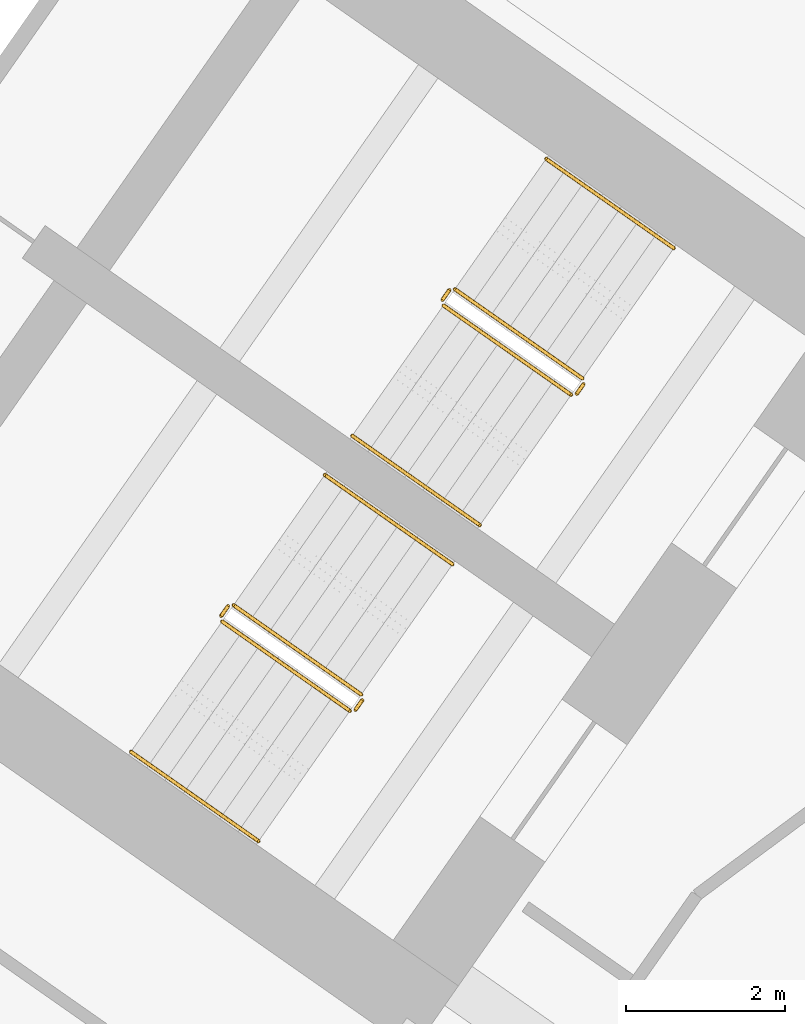
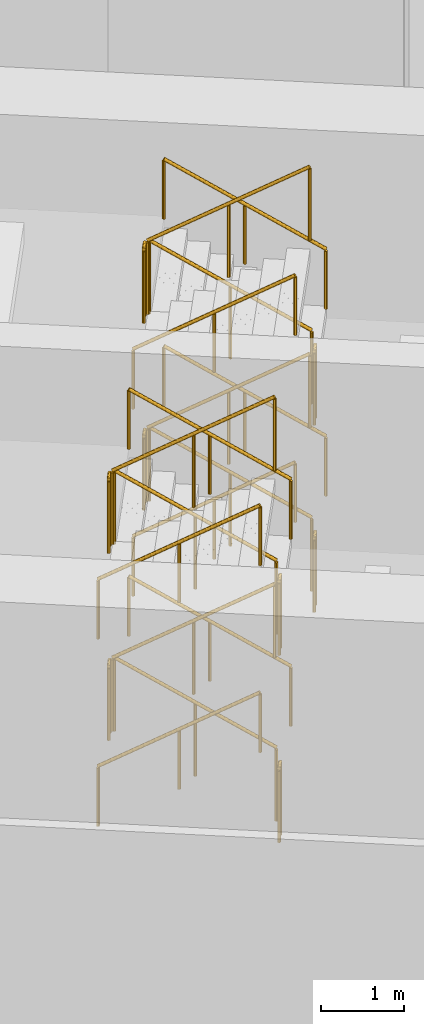
# One storey, part 25 of 26: 24 railings.
"""IFC4 building model written with IfcOpenShell, lengths in metres."""

import ifcopenshell
import ifcopenshell.guid

model = None  # the IFC model being written
_history = None  # IfcOwnerHistory: only IFC2X3 demands one
_inside = {}  # id of a spatial element -> (the spatial element, [elements in it])
_under = {}  # id of a project, library or spatial element -> (it, [spatial elements below it])
_declared = {}  # id of a project -> (the project, [libraries it declares])
_typed = {}  # id of a type object -> (the type object, [elements of that type])
_made_of = {}  # id of a material, layer set ... -> (it, [elements and type objects made of it])


def new_model(schema):
    """Start an empty IFC model of exactly this schema.

    Asked for "IFC4X3", IfcOpenShell would pick the latest addendum, in which some entities
    have other attributes; the version numbers below select the first issue.
    IFC2X3 requires an IfcOwnerHistory on every rooted entity: one is made here for all.
    """
    global model, _history
    if schema == "IFC4X3":
        model = ifcopenshell.file(schema_version=(4, 3, 0, 0))
    else:
        model = ifcopenshell.file(schema=schema)
    _inside.clear()
    _under.clear()
    _declared.clear()
    _typed.clear()
    _made_of.clear()
    _history = None
    if model.schema == "IFC2X3":
        org = make("IfcOrganization", Name="unknown")
        user = make(
            "IfcPersonAndOrganization",
            ThePerson=make("IfcPerson", FamilyName="unknown"),
            TheOrganization=org,
        )
        app = make(
            "IfcApplication",
            ApplicationDeveloper=org,
            Version="unknown",
            ApplicationFullName="unknown",
            ApplicationIdentifier="unknown",
        )
        _history = make(
            "IfcOwnerHistory",
            OwningUser=user,
            OwningApplication=app,
            ChangeAction="ADDED",
            CreationDate=0,
        )
    return model


def make(cls, **values):
    """One entity of the class cls with the attributes given. An attribute that is None is left unset."""
    return model.create_entity(
        cls, **{name: value for name, value in values.items() if value is not None}
    )


def rooted(cls, **values):
    """An entity with a GlobalId (a new one), such as an element, a storey or a relation."""
    return make(cls, GlobalId=ifcopenshell.guid.new(), OwnerHistory=_history, **values)


def si_unit(unit_type, name, prefix=None):
    """IfcSIUnit, for example si_unit("LENGTHUNIT", "METRE", prefix="MILLI")."""
    return make("IfcSIUnit", UnitType=unit_type, Prefix=prefix, Name=name)


def assignment(units):
    """IfcUnitAssignment: the units of a project."""
    return None if units is None else make("IfcUnitAssignment", Units=units)


def point(xyz):
    """IfcCartesianPoint."""
    return None if xyz is None else make("IfcCartesianPoint", Coordinates=xyz)


def direction(xyz):
    """IfcDirection."""
    return None if xyz is None else make("IfcDirection", DirectionRatios=xyz)


def frame(location, z_axis=None, x_axis=None):
    """IfcAxis2Placement3D, a coordinate frame: its origin and axes. An axis left out is left unset."""
    return make(
        "IfcAxis2Placement3D",
        Location=point(location),
        Axis=direction(z_axis),
        RefDirection=direction(x_axis),
    )


def frame_2d(location, x_axis=None):
    """IfcAxis2Placement2D, a coordinate frame in the plane: its origin and x axis."""
    return make(
        "IfcAxis2Placement2D", Location=point(location), RefDirection=direction(x_axis)
    )


def origin():
    """The frame at (0, 0, 0) with its axes left unset."""
    return frame((0.0, 0.0, 0.0))


def origin_2d():
    """The frame at (0, 0) in the plane with its x axis left unset."""
    return frame_2d((0.0, 0.0))


def place(relative_to, where):
    """IfcLocalPlacement: puts the frame where relative to a parent placement (None: the world)."""
    return make(
        "IfcLocalPlacement", PlacementRelTo=relative_to, RelativePlacement=where
    )


def context(
    kind, dimensions, precision=None, world=None, true_north=None, identifier=None
):
    """IfcGeometricRepresentationContext, for example the 3D "Model" context."""
    return make(
        "IfcGeometricRepresentationContext",
        ContextIdentifier=identifier,
        ContextType=kind,
        CoordinateSpaceDimension=dimensions,
        Precision=precision,
        WorldCoordinateSystem=world,
        TrueNorth=true_north,
    )


def subcontext(parent, identifier, kind, view, scale=None):
    """IfcGeometricRepresentationSubContext, for example "Body" below "Model"."""
    return make(
        "IfcGeometricRepresentationSubContext",
        ContextIdentifier=identifier,
        ContextType=kind,
        ParentContext=parent,
        TargetScale=scale,
        TargetView=view,
    )


def project(units=None, contexts=None):
    """IfcProject with its units and contexts."""
    return rooted(
        "IfcProject",
        Name="project",
        RepresentationContexts=contexts,
        UnitsInContext=assignment(units),
    )


def spatial(cls, under=None, at=None, **own):
    """A site, building, storey or space (cls), placed at a placement, below another one or the project."""
    s = rooted(cls, ObjectPlacement=at, **own)
    if under is not None:
        _under.setdefault(under.id(), (under, []))[1].append(s)
    return s


def profile(cls, at=None, kind="AREA", **sizes):
    """A parametric profile (cls). Its sizes go by their IFC names, for example OverallWidth=200.0."""
    return make(cls, ProfileType=kind, Position=at, **sizes)


def circle(**sizes):
    """IfcCircleProfileDef."""
    return profile("IfcCircleProfileDef", **sizes)


def extrude(swept, where, along, depth):
    """IfcExtrudedAreaSolid: the profile swept, set in the frame where, extruded along a direction by depth."""
    return make(
        "IfcExtrudedAreaSolid",
        SweptArea=swept,
        Position=where,
        ExtrudedDirection=direction(along),
        Depth=depth,
    )


def shape(context_of_items, identifier, shape_type, items):
    """IfcShapeRepresentation: the items that make up one representation, for example the "Body"."""
    return make(
        "IfcShapeRepresentation",
        ContextOfItems=context_of_items,
        RepresentationIdentifier=identifier,
        RepresentationType=shape_type,
        Items=items,
    )


def material(Name=None, Category=None):
    """IfcMaterial."""
    return make("IfcMaterial", Name=Name, Category=Category)


def made_of(thing, what):
    """Note that an element or type object is made of a material, layer set ...; save() writes the relation."""
    if what is not None:
        _made_of.setdefault(what.id(), (what, []))[1].append(thing)
    return thing


def type_object(cls, material=None, **own):
    """A type object (cls), such as IfcWallType, which elements share."""
    return made_of(rooted(cls, **own), material)


def element(
    cls,
    number,
    at=None,
    inside=None,
    cuts=None,
    type_object=None,
    material=None,
    context=None,
    identifier="Body",
    shape_type=None,
    held_by="IfcProductDefinitionShape",
    body=None,
    shapes=None,
    **own,
):
    """One element of the class cls, such as IfcWall. Its Tag is "e" and its number.

    at: its placement. inside: the storey or other place that contains it. cuts: it is an
    opening in that element (IfcRelVoidsElement). A single representation is given by context,
    identifier, shape_type and body (its items); several are given by shapes. held_by: the class
    of the entity that holds the representations. save() writes the other relations.
    """
    e = rooted(cls, Tag="e%d" % number, ObjectPlacement=at, **own)
    if body is not None:
        shapes = [shape(context, identifier, shape_type, body)]
    if shapes is not None:
        e.Representation = make(held_by, Representations=shapes)
    if inside is not None:
        _inside.setdefault(inside.id(), (inside, []))[1].append(e)
    if cuts is not None:
        rooted(
            "IfcRelVoidsElement", RelatingBuildingElement=cuts, RelatedOpeningElement=e
        )
    if type_object is not None:
        _typed.setdefault(type_object.id(), (type_object, []))[1].append(e)
    return made_of(e, material)


def aggregate(whole, parts):
    """IfcRelAggregates: a whole, such as a stair, and the parts it consists of."""
    return rooted("IfcRelAggregates", RelatingObject=whole, RelatedObjects=parts)


def save(model, path):
    """Write the relations noted so far, then the file.

    IfcRelAggregates (storeys below a building ...), IfcRelContainedInSpatialStructure (elements
    in a storey), IfcRelDefinesByType, IfcRelAssociatesMaterial and IfcRelDeclares: one each for
    every whole, place, type object, material and project.
    """
    for whole, parts in _under.values():
        aggregate(whole, parts)
    for where, things in _inside.values():
        rooted(
            "IfcRelContainedInSpatialStructure",
            RelatedElements=things,
            RelatingStructure=where,
        )
    for kind, things in _typed.values():
        rooted("IfcRelDefinesByType", RelatedObjects=things, RelatingType=kind)
    for what, things in _made_of.values():
        rooted("IfcRelAssociatesMaterial", RelatedObjects=things, RelatingMaterial=what)
    for by, libraries in _declared.values():
        rooted("IfcRelDeclares", RelatingContext=by, RelatedDefinitions=libraries)
    model.write(path)


model = new_model("IFC4")

# Units and contexts
model_context = context("Model", 3, precision=1e-05, world=origin(), true_north=direction((0.0, 1.0)))
body_context = subcontext(model_context, "Body", "Model", "MODEL_VIEW")
ifc_project = project(units=[si_unit("LENGTHUNIT", "METRE"), si_unit("AREAUNIT", "SQUARE_METRE"), si_unit("VOLUMEUNIT", "CUBIC_METRE"), si_unit("PLANEANGLEUNIT", "RADIAN"), si_unit("MASSUNIT", "GRAM", prefix="KILO")], contexts=[model_context])

# Site, building, storey
site_placement = place(None, origin())
site = spatial("IfcSite", under=ifc_project, at=site_placement, CompositionType="ELEMENT")
building_placement = place(site_placement, origin())
building = spatial("IfcBuilding", under=site, at=building_placement, Name="Tel Ilan Convention Tower", CompositionType="ELEMENT")
storey_placement = place(building_placement, frame((0.0, 0.0, 37.5)))
storey = spatial("IfcBuildingStorey", under=building, at=storey_placement, Name="L05", CompositionType="ELEMENT", Elevation=37.5)

# Railings
ifc_material_1 = material(Name="Stainless Steel Grade 316", Category="steel")
railing_type_1 = type_object("IfcRailingType", Name="Stainless Steel Stair Guard 1100 mm", PredefinedType="GUARDRAIL", material=ifc_material_1)
railing_1_placement = place(storey_placement, frame((23.6787109375, -7.8515625, 0.171875)))
element("IfcRailing", 1, at=railing_1_placement, inside=storey, type_object=railing_type_1, Name="L05 S3 stair guard 1", PredefinedType="GUARDRAIL", context=body_context, shape_type="SweptSolid", body=[
    extrude(circle(Radius=0.02392578125, at=origin_2d()), frame((0.0, 0.0, 1.076171875), z_axis=(-0.698094737943, 0.488857400886, 0.523146421621), x_axis=(-0.573612813533, -0.819126571508, 0.0)), (0.0, 0.0, 1.0), 2.2998046875),
    extrude(circle(Radius=0.02099609375, at=origin_2d()), origin(), (0.0, 0.0, 1.0), 1.052001953125),
    extrude(circle(Radius=0.02099609375, at=origin_2d()), frame((-0.802734375, 0.56201171875, 0.6015625)), (0.0, 0.0, 1.0), 1.052001953125),
    extrude(circle(Radius=0.02099609375, at=origin_2d()), frame((-1.60546875, 1.124267578125, 1.203125)), (0.0, 0.0, 1.0), 1.052001953125),
])
railing_2_placement = place(storey_placement, frame((22.003662109375, -6.739501953125, 1.375)))
element("IfcRailing", 2, at=railing_2_placement, inside=storey, type_object=railing_type_1, Name="L05 S3 stair guard 2", PredefinedType="GUARDRAIL", context=body_context, shape_type="SweptSolid", body=[
    extrude(circle(Radius=0.02392578125, at=origin_2d()), frame((0.0, 0.0, 1.076171875), z_axis=(-0.57368046593, -0.819079192149, 0.0), x_axis=(0.819079192149, -0.57368046593, 0.0)), (0.0, 0.0, 1.0), 0.150146484375),
    extrude(circle(Radius=0.02099609375, at=origin_2d()), origin(), (0.0, 0.0, 1.0), 1.052001953125),
    extrude(circle(Radius=0.02099609375, at=origin_2d()), frame((-0.086181640625, -0.123046875, 0.0)), (0.0, 0.0, 1.0), 1.052001953125),
])
railing_3_placement = place(storey_placement, frame((21.929931640625, -6.93212890625, 1.546875)))
element("IfcRailing", 3, at=railing_3_placement, inside=storey, type_object=railing_type_1, Name="L05 S3 stair guard 3", PredefinedType="GUARDRAIL", context=body_context, shape_type="SweptSolid", body=[
    extrude(circle(Radius=0.02392578125, at=origin_2d()), frame((0.0, 0.0, 1.076171875), z_axis=(0.698094737943, -0.488857400886, 0.523146421621), x_axis=(0.573612813533, 0.819126571508, 0.0)), (0.0, 0.0, 1.0), 2.2998046875),
    extrude(circle(Radius=0.02099609375, at=origin_2d()), origin(), (0.0, 0.0, 1.0), 1.052001953125),
    extrude(circle(Radius=0.02099609375, at=origin_2d()), frame((0.802734375, -0.56201171875, 0.6015625)), (0.0, 0.0, 1.0), 1.052001953125),
    extrude(circle(Radius=0.02099609375, at=origin_2d()), frame((1.60546875, -1.124267578125, 1.203125)), (0.0, 0.0, 1.0), 1.052001953125),
])
railing_4_placement = place(storey_placement, frame((23.691162109375, -7.921142578125, 2.75)))
element("IfcRailing", 4, at=railing_4_placement, inside=storey, type_object=railing_type_1, Name="L05 S3 stair guard 4", PredefinedType="GUARDRAIL", context=body_context, shape_type="SweptSolid", body=[
    extrude(circle(Radius=0.02392578125, at=origin_2d()), frame((0.0, 0.0, 1.076171875), z_axis=(-0.574444878118, -0.818543268254, 0.0), x_axis=(0.818543268254, -0.574444878118, 0.0)), (0.0, 0.0, 1.0), 0.150146484375),
    extrude(circle(Radius=0.02099609375, at=origin_2d()), origin(), (0.0, 0.0, 1.0), 1.052001953125),
    extrude(circle(Radius=0.02099609375, at=origin_2d()), frame((-0.086181640625, -0.122802734375, 0.0)), (0.0, 0.0, 1.0), 1.052001953125),
])
railing_5_placement = place(storey_placement, frame((23.6787109375, -7.8515625, 2.921875)))
element("IfcRailing", 5, at=railing_5_placement, inside=storey, type_object=railing_type_1, Name="L05 S3 stair guard 5", PredefinedType="GUARDRAIL", context=body_context, shape_type="SweptSolid", body=[
    extrude(circle(Radius=0.02392578125, at=origin_2d()), frame((0.0, 0.0, 1.076171875), z_axis=(-0.698094737943, 0.488857400886, 0.523146421621), x_axis=(-0.573612813533, -0.819126571508, 0.0)), (0.0, 0.0, 1.0), 2.2998046875),
    extrude(circle(Radius=0.02099609375, at=origin_2d()), origin(), (0.0, 0.0, 1.0), 1.052001953125),
    extrude(circle(Radius=0.02099609375, at=origin_2d()), frame((-0.802734375, 0.56201171875, 0.6015625)), (0.0, 0.0, 1.0), 1.052001953125),
    extrude(circle(Radius=0.02099609375, at=origin_2d()), frame((-1.60546875, 1.124267578125, 1.203125)), (0.0, 0.0, 1.0), 1.052001953125),
])
railing_6_placement = place(storey_placement, frame((22.003662109375, -6.739501953125, 4.125)))
element("IfcRailing", 6, at=railing_6_placement, inside=storey, type_object=railing_type_1, Name="L05 S3 stair guard 6", PredefinedType="GUARDRAIL", context=body_context, shape_type="SweptSolid", body=[
    extrude(circle(Radius=0.02392578125, at=origin_2d()), frame((0.0, 0.0, 1.076171875), z_axis=(-0.57368046593, -0.819079192149, 0.0), x_axis=(0.819079192149, -0.57368046593, 0.0)), (0.0, 0.0, 1.0), 0.150146484375),
    extrude(circle(Radius=0.02099609375, at=origin_2d()), origin(), (0.0, 0.0, 1.0), 1.052001953125),
    extrude(circle(Radius=0.02099609375, at=origin_2d()), frame((-0.086181640625, -0.123046875, 0.0)), (0.0, 0.0, 1.0), 1.052001953125),
])
railing_7_placement = place(storey_placement, frame((21.929931640625, -6.93212890625, 4.296875)))
element("IfcRailing", 7, at=railing_7_placement, inside=storey, type_object=railing_type_1, Name="L05 S3 stair guard 7", PredefinedType="GUARDRAIL", context=body_context, shape_type="SweptSolid", body=[
    extrude(circle(Radius=0.02392578125, at=origin_2d()), frame((0.0, 0.0, 1.076171875), z_axis=(0.698094737943, -0.488857400886, 0.523146421621), x_axis=(0.573612813533, 0.819126571508, 0.0)), (0.0, 0.0, 1.0), 2.2998046875),
    extrude(circle(Radius=0.02099609375, at=origin_2d()), origin(), (0.0, 0.0, 1.0), 1.052001953125),
    extrude(circle(Radius=0.02099609375, at=origin_2d()), frame((0.802734375, -0.56201171875, 0.6015625)), (0.0, 0.0, 1.0), 1.052001953125),
    extrude(circle(Radius=0.02099609375, at=origin_2d()), frame((1.60546875, -1.124267578125, 1.203125)), (0.0, 0.0, 1.0), 1.052001953125),
])
railing_8_placement = place(storey_placement, frame((23.691162109375, -7.921142578125, 0.0)))
element("IfcRailing", 8, at=railing_8_placement, inside=storey, type_object=railing_type_1, Name="L05 S3 stair guard 8", PredefinedType="GUARDRAIL", context=body_context, shape_type="SweptSolid", body=[
    extrude(circle(Radius=0.02392578125, at=origin_2d()), frame((0.0, 0.0, 1.076171875), z_axis=(-0.574444878118, -0.818543268254, 0.0), x_axis=(0.818543268254, -0.574444878118, 0.0)), (0.0, 0.0, 1.0), 0.150146484375),
    extrude(circle(Radius=0.02099609375, at=origin_2d()), origin(), (0.0, 0.0, 1.0), 1.052001953125),
    extrude(circle(Radius=0.02099609375, at=origin_2d()), frame((-0.086181640625, -0.122802734375, 0.0)), (0.0, 0.0, 1.0), 1.052001953125),
])
railing_9_placement = place(storey_placement, frame((20.89697265625, -11.824462890625, 0.171875)))
element("IfcRailing", 9, at=railing_9_placement, inside=storey, type_object=railing_type_1, Name="L05 S4 stair guard 1", PredefinedType="GUARDRAIL", context=body_context, shape_type="SweptSolid", body=[
    extrude(circle(Radius=0.02392578125, at=origin_2d()), frame((0.0, 0.0, 1.076171875), z_axis=(-0.698094737943, 0.488857400886, 0.523146421621), x_axis=(-0.573612813533, -0.819126571508, 0.0)), (0.0, 0.0, 1.0), 2.2998046875),
    extrude(circle(Radius=0.02099609375, at=origin_2d()), origin(), (0.0, 0.0, 1.0), 1.052001953125),
    extrude(circle(Radius=0.02099609375, at=origin_2d()), frame((-0.802734375, 0.56201171875, 0.6015625)), (0.0, 0.0, 1.0), 1.052001953125),
    extrude(circle(Radius=0.02099609375, at=origin_2d()), frame((-1.60546875, 1.124267578125, 1.203125)), (0.0, 0.0, 1.0), 1.052001953125),
])
railing_10_placement = place(storey_placement, frame((19.2216796875, -10.71240234375, 1.375)))
element("IfcRailing", 10, at=railing_10_placement, inside=storey, type_object=railing_type_1, Name="L05 S4 stair guard 2", PredefinedType="GUARDRAIL", context=body_context, shape_type="SweptSolid", body=[
    extrude(circle(Radius=0.02392578125, at=origin_2d()), frame((0.0, 0.0, 1.076171875), z_axis=(-0.572588637393, -0.819842821722, 0.0), x_axis=(0.819842821722, -0.572588637393, 0.0)), (0.0, 0.0, 1.0), 0.150146484375),
    extrude(circle(Radius=0.02099609375, at=origin_2d()), origin(), (0.0, 0.0, 1.0), 1.052001953125),
    extrude(circle(Radius=0.02099609375, at=origin_2d()), frame((-0.0859375, -0.123046875, 0.0)), (0.0, 0.0, 1.0), 1.052001953125),
])
railing_11_placement = place(storey_placement, frame((19.14794921875, -10.905029296875, 1.546875)))
element("IfcRailing", 11, at=railing_11_placement, inside=storey, type_object=railing_type_1, Name="L05 S4 stair guard 3", PredefinedType="GUARDRAIL", context=body_context, shape_type="SweptSolid", body=[
    extrude(circle(Radius=0.02392578125, at=origin_2d()), frame((0.0, 0.0, 1.076171875), z_axis=(0.698149155229, -0.488821173762, 0.523107653485), x_axis=(0.573554290663, 0.819167550421, 0.0)), (0.0, 0.0, 1.0), 2.300048828125),
    extrude(circle(Radius=0.02099609375, at=origin_2d()), origin(), (0.0, 0.0, 1.0), 1.052001953125),
    extrude(circle(Radius=0.02099609375, at=origin_2d()), frame((0.802734375, -0.56201171875, 0.6015625)), (0.0, 0.0, 1.0), 1.052001953125),
    extrude(circle(Radius=0.02099609375, at=origin_2d()), frame((1.605712890625, -1.124267578125, 1.203125)), (0.0, 0.0, 1.0), 1.052001953125),
])
railing_12_placement = place(storey_placement, frame((20.9091796875, -11.89404296875, 2.75)))
element("IfcRailing", 12, at=railing_12_placement, inside=storey, type_object=railing_type_1, Name="L05 S4 stair guard 4", PredefinedType="GUARDRAIL", context=body_context, shape_type="SweptSolid", body=[
    extrude(circle(Radius=0.02392578125, at=origin_2d()), frame((0.0, 0.0, 1.076171875), z_axis=(-0.573353020881, -0.819308436089, 0.0), x_axis=(0.819308436089, -0.573353020881, 0.0)), (0.0, 0.0, 1.0), 0.14990234375),
    extrude(circle(Radius=0.02099609375, at=origin_2d()), origin(), (0.0, 0.0, 1.0), 1.052001953125),
    extrude(circle(Radius=0.02099609375, at=origin_2d()), frame((-0.0859375, -0.122802734375, 0.0)), (0.0, 0.0, 1.0), 1.052001953125),
])
railing_13_placement = place(storey_placement, frame((20.89697265625, -11.824462890625, 2.921875)))
element("IfcRailing", 13, at=railing_13_placement, inside=storey, type_object=railing_type_1, Name="L05 S4 stair guard 5", PredefinedType="GUARDRAIL", context=body_context, shape_type="SweptSolid", body=[
    extrude(circle(Radius=0.02392578125, at=origin_2d()), frame((0.0, 0.0, 1.076171875), z_axis=(-0.698094737943, 0.488857400886, 0.523146421621), x_axis=(-0.573612813533, -0.819126571508, 0.0)), (0.0, 0.0, 1.0), 2.2998046875),
    extrude(circle(Radius=0.02099609375, at=origin_2d()), origin(), (0.0, 0.0, 1.0), 1.052001953125),
    extrude(circle(Radius=0.02099609375, at=origin_2d()), frame((-0.802734375, 0.56201171875, 0.6015625)), (0.0, 0.0, 1.0), 1.052001953125),
    extrude(circle(Radius=0.02099609375, at=origin_2d()), frame((-1.60546875, 1.124267578125, 1.203125)), (0.0, 0.0, 1.0), 1.052001953125),
])
railing_14_placement = place(storey_placement, frame((19.2216796875, -10.71240234375, 4.125)))
element("IfcRailing", 14, at=railing_14_placement, inside=storey, type_object=railing_type_1, Name="L05 S4 stair guard 6", PredefinedType="GUARDRAIL", context=body_context, shape_type="SweptSolid", body=[
    extrude(circle(Radius=0.02392578125, at=origin_2d()), frame((0.0, 0.0, 1.076171875), z_axis=(-0.572588637393, -0.819842821722, 0.0), x_axis=(0.819842821722, -0.572588637393, 0.0)), (0.0, 0.0, 1.0), 0.150146484375),
    extrude(circle(Radius=0.02099609375, at=origin_2d()), origin(), (0.0, 0.0, 1.0), 1.052001953125),
    extrude(circle(Radius=0.02099609375, at=origin_2d()), frame((-0.0859375, -0.123046875, 0.0)), (0.0, 0.0, 1.0), 1.052001953125),
])
railing_15_placement = place(storey_placement, frame((19.14794921875, -10.905029296875, 4.296875)))
element("IfcRailing", 15, at=railing_15_placement, inside=storey, type_object=railing_type_1, Name="L05 S4 stair guard 7", PredefinedType="GUARDRAIL", context=body_context, shape_type="SweptSolid", body=[
    extrude(circle(Radius=0.02392578125, at=origin_2d()), frame((0.0, 0.0, 1.076171875), z_axis=(0.698149155229, -0.488821173762, 0.523107653485), x_axis=(0.573554290663, 0.819167550421, 0.0)), (0.0, 0.0, 1.0), 2.300048828125),
    extrude(circle(Radius=0.02099609375, at=origin_2d()), origin(), (0.0, 0.0, 1.0), 1.052001953125),
    extrude(circle(Radius=0.02099609375, at=origin_2d()), frame((0.802734375, -0.56201171875, 0.6015625)), (0.0, 0.0, 1.0), 1.052001953125),
    extrude(circle(Radius=0.02099609375, at=origin_2d()), frame((1.605712890625, -1.124267578125, 1.203125)), (0.0, 0.0, 1.0), 1.052001953125),
])
railing_16_placement = place(storey_placement, frame((20.9091796875, -11.89404296875, 0.0)))
element("IfcRailing", 16, at=railing_16_placement, inside=storey, type_object=railing_type_1, Name="L05 S4 stair guard 8", PredefinedType="GUARDRAIL", context=body_context, shape_type="SweptSolid", body=[
    extrude(circle(Radius=0.02392578125, at=origin_2d()), frame((0.0, 0.0, 1.076171875), z_axis=(-0.573353020881, -0.819308436089, 0.0), x_axis=(0.819308436089, -0.573353020881, 0.0)), (0.0, 0.0, 1.0), 0.14990234375),
    extrude(circle(Radius=0.02099609375, at=origin_2d()), origin(), (0.0, 0.0, 1.0), 1.052001953125),
    extrude(circle(Radius=0.02099609375, at=origin_2d()), frame((-0.0859375, -0.122802734375, 0.0)), (0.0, 0.0, 1.0), 1.052001953125),
])
ifc_material_2 = material(Name="Stainless Steel Grade 316", Category="steel")
railing_type_2 = type_object("IfcRailingType", Name="Stainless Steel Stair Handrail 900 mm", PredefinedType="HANDRAIL", material=ifc_material_2)
railing_17_placement = place(storey_placement, frame((24.825927734375, -6.213134765625, 0.171875)))
element("IfcRailing", 17, at=railing_17_placement, inside=storey, type_object=railing_type_2, Name="L05 S3 stair handrail 1", PredefinedType="HANDRAIL", context=body_context, shape_type="SweptSolid", body=[
    extrude(circle(Radius=0.02392578125, at=origin_2d()), frame((0.0, 0.0, 0.8759765625), z_axis=(-0.698130965226, 0.488776606433, 0.523173570048), x_axis=(-0.573529226717, -0.819185098803, 0.0)), (0.0, 0.0, 1.0), 2.299560546875),
    extrude(circle(Radius=0.02099609375, at=origin_2d()), origin(), (0.0, 0.0, 1.0), 0.851806640625),
    extrude(circle(Radius=0.02099609375, at=origin_2d()), frame((-0.802734375, 0.56201171875, 0.6015625)), (0.0, 0.0, 1.0), 0.851806640625),
    extrude(circle(Radius=0.02099609375, at=origin_2d()), frame((-1.60546875, 1.1240234375, 1.203125)), (0.0, 0.0, 1.0), 0.851806640625),
])
railing_18_placement = place(storey_placement, frame((20.78271484375, -8.5703125, 1.546875)))
element("IfcRailing", 18, at=railing_18_placement, inside=storey, type_object=railing_type_2, Name="L05 S3 stair handrail 2", PredefinedType="HANDRAIL", context=body_context, shape_type="SweptSolid", body=[
    extrude(circle(Radius=0.02392578125, at=origin_2d()), frame((0.0, 0.0, 0.8759765625), z_axis=(0.698094737943, -0.488857400886, 0.523146421621), x_axis=(0.573612813533, 0.819126571508, 0.0)), (0.0, 0.0, 1.0), 2.2998046875),
    extrude(circle(Radius=0.02099609375, at=origin_2d()), origin(), (0.0, 0.0, 1.0), 0.851806640625),
    extrude(circle(Radius=0.02099609375, at=origin_2d()), frame((0.802734375, -0.56201171875, 0.6015625)), (0.0, 0.0, 1.0), 0.851806640625),
    extrude(circle(Radius=0.02099609375, at=origin_2d()), frame((1.60546875, -1.124267578125, 1.203125)), (0.0, 0.0, 1.0), 0.851806640625),
])
railing_19_placement = place(storey_placement, frame((24.825927734375, -6.213134765625, 2.921875)))
element("IfcRailing", 19, at=railing_19_placement, inside=storey, type_object=railing_type_2, Name="L05 S3 stair handrail 3", PredefinedType="HANDRAIL", context=body_context, shape_type="SweptSolid", body=[
    extrude(circle(Radius=0.02392578125, at=origin_2d()), frame((0.0, 0.0, 0.8759765625), z_axis=(-0.698130965226, 0.488776606433, 0.523173570048), x_axis=(-0.573529226717, -0.819185098803, 0.0)), (0.0, 0.0, 1.0), 2.299560546875),
    extrude(circle(Radius=0.02099609375, at=origin_2d()), origin(), (0.0, 0.0, 1.0), 0.851806640625),
    extrude(circle(Radius=0.02099609375, at=origin_2d()), frame((-0.802734375, 0.56201171875, 0.6015625)), (0.0, 0.0, 1.0), 0.851806640625),
    extrude(circle(Radius=0.02099609375, at=origin_2d()), frame((-1.60546875, 1.1240234375, 1.203125)), (0.0, 0.0, 1.0), 0.851806640625),
])
railing_20_placement = place(storey_placement, frame((20.78271484375, -8.5703125, 4.296875)))
element("IfcRailing", 20, at=railing_20_placement, inside=storey, type_object=railing_type_2, Name="L05 S3 stair handrail 4", PredefinedType="HANDRAIL", context=body_context, shape_type="SweptSolid", body=[
    extrude(circle(Radius=0.02392578125, at=origin_2d()), frame((0.0, 0.0, 0.8759765625), z_axis=(0.698094737943, -0.488857400886, 0.523146421621), x_axis=(0.573612813533, 0.819126571508, 0.0)), (0.0, 0.0, 1.0), 2.2998046875),
    extrude(circle(Radius=0.02099609375, at=origin_2d()), origin(), (0.0, 0.0, 1.0), 0.851806640625),
    extrude(circle(Radius=0.02099609375, at=origin_2d()), frame((0.802734375, -0.56201171875, 0.6015625)), (0.0, 0.0, 1.0), 0.851806640625),
    extrude(circle(Radius=0.02099609375, at=origin_2d()), frame((1.60546875, -1.124267578125, 1.203125)), (0.0, 0.0, 1.0), 0.851806640625),
])
railing_21_placement = place(storey_placement, frame((22.044189453125, -10.18603515625, 0.171875)))
element("IfcRailing", 21, at=railing_21_placement, inside=storey, type_object=railing_type_2, Name="L05 S4 stair handrail 1", PredefinedType="HANDRAIL", context=body_context, shape_type="SweptSolid", body=[
    extrude(circle(Radius=0.02392578125, at=origin_2d()), frame((0.0, 0.0, 0.8759765625), z_axis=(-0.698185379967, 0.488740381537, 0.523134795876), x_axis=(-0.573470704013, -0.8192260687, 0.0)), (0.0, 0.0, 1.0), 2.2998046875),
    extrude(circle(Radius=0.02099609375, at=origin_2d()), origin(), (0.0, 0.0, 1.0), 0.851806640625),
    extrude(circle(Radius=0.02099609375, at=origin_2d()), frame((-0.802734375, 0.56201171875, 0.6015625)), (0.0, 0.0, 1.0), 0.851806640625),
    extrude(circle(Radius=0.02099609375, at=origin_2d()), frame((-1.605712890625, 1.1240234375, 1.203125)), (0.0, 0.0, 1.0), 0.851806640625),
])
railing_22_placement = place(storey_placement, frame((18.0009765625, -12.543212890625, 1.546875)))
element("IfcRailing", 22, at=railing_22_placement, inside=storey, type_object=railing_type_2, Name="L05 S4 stair handrail 2", PredefinedType="HANDRAIL", context=body_context, shape_type="SweptSolid", body=[
    extrude(circle(Radius=0.02392578125, at=origin_2d()), frame((0.0, 0.0, 0.8759765625), z_axis=(0.698094737943, -0.488857400886, 0.523146421621), x_axis=(0.573612813533, 0.819126571508, 0.0)), (0.0, 0.0, 1.0), 2.2998046875),
    extrude(circle(Radius=0.02099609375, at=origin_2d()), origin(), (0.0, 0.0, 1.0), 0.851806640625),
    extrude(circle(Radius=0.02099609375, at=origin_2d()), frame((0.802734375, -0.56201171875, 0.6015625)), (0.0, 0.0, 1.0), 0.851806640625),
    extrude(circle(Radius=0.02099609375, at=origin_2d()), frame((1.60546875, -1.124267578125, 1.203125)), (0.0, 0.0, 1.0), 0.851806640625),
])
railing_23_placement = place(storey_placement, frame((22.044189453125, -10.18603515625, 2.921875)))
element("IfcRailing", 23, at=railing_23_placement, inside=storey, type_object=railing_type_2, Name="L05 S4 stair handrail 3", PredefinedType="HANDRAIL", context=body_context, shape_type="SweptSolid", body=[
    extrude(circle(Radius=0.02392578125, at=origin_2d()), frame((0.0, 0.0, 0.8759765625), z_axis=(-0.698185379967, 0.488740381537, 0.523134795876), x_axis=(-0.573470704013, -0.8192260687, 0.0)), (0.0, 0.0, 1.0), 2.2998046875),
    extrude(circle(Radius=0.02099609375, at=origin_2d()), origin(), (0.0, 0.0, 1.0), 0.851806640625),
    extrude(circle(Radius=0.02099609375, at=origin_2d()), frame((-0.802734375, 0.56201171875, 0.6015625)), (0.0, 0.0, 1.0), 0.851806640625),
    extrude(circle(Radius=0.02099609375, at=origin_2d()), frame((-1.605712890625, 1.1240234375, 1.203125)), (0.0, 0.0, 1.0), 0.851806640625),
])
railing_24_placement = place(storey_placement, frame((18.0009765625, -12.543212890625, 4.296875)))
element("IfcRailing", 24, at=railing_24_placement, inside=storey, type_object=railing_type_2, Name="L05 S4 stair handrail 4", PredefinedType="HANDRAIL", context=body_context, shape_type="SweptSolid", body=[
    extrude(circle(Radius=0.02392578125, at=origin_2d()), frame((0.0, 0.0, 0.8759765625), z_axis=(0.698094737943, -0.488857400886, 0.523146421621), x_axis=(0.573612813533, 0.819126571508, 0.0)), (0.0, 0.0, 1.0), 2.2998046875),
    extrude(circle(Radius=0.02099609375, at=origin_2d()), origin(), (0.0, 0.0, 1.0), 0.851806640625),
    extrude(circle(Radius=0.02099609375, at=origin_2d()), frame((0.802734375, -0.56201171875, 0.6015625)), (0.0, 0.0, 1.0), 0.851806640625),
    extrude(circle(Radius=0.02099609375, at=origin_2d()), frame((1.60546875, -1.124267578125, 1.203125)), (0.0, 0.0, 1.0), 0.851806640625),
])

save(model, "model.ifc")
